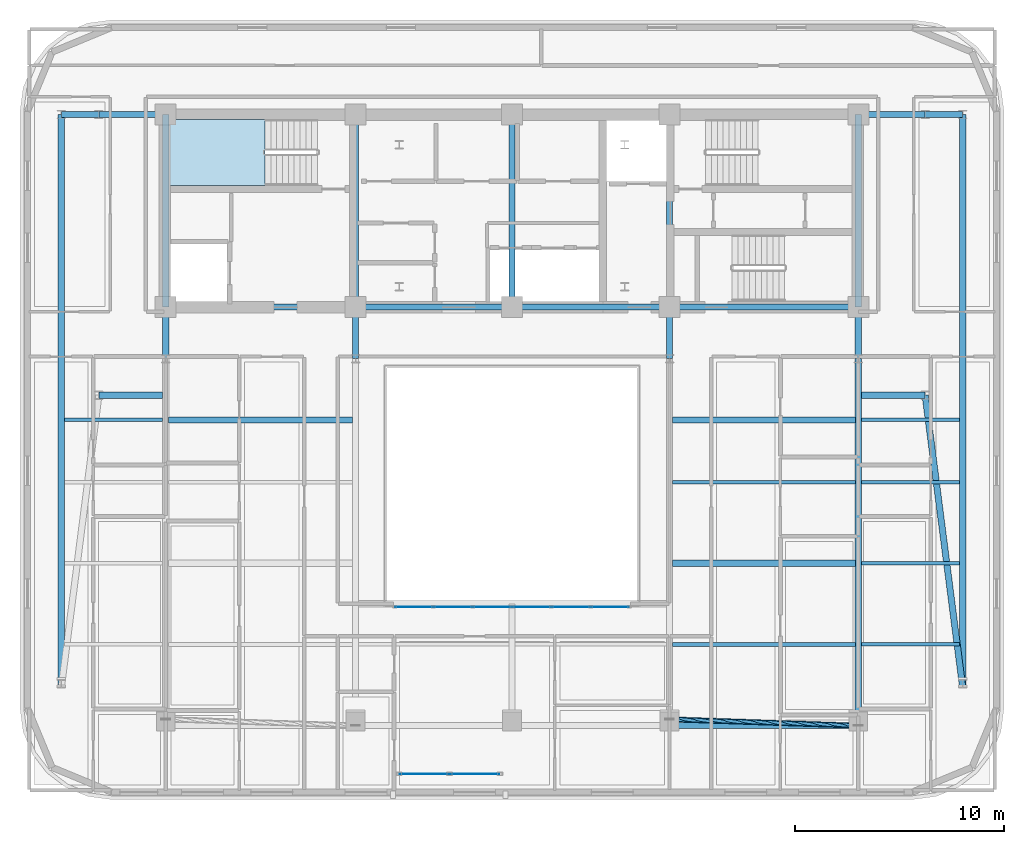
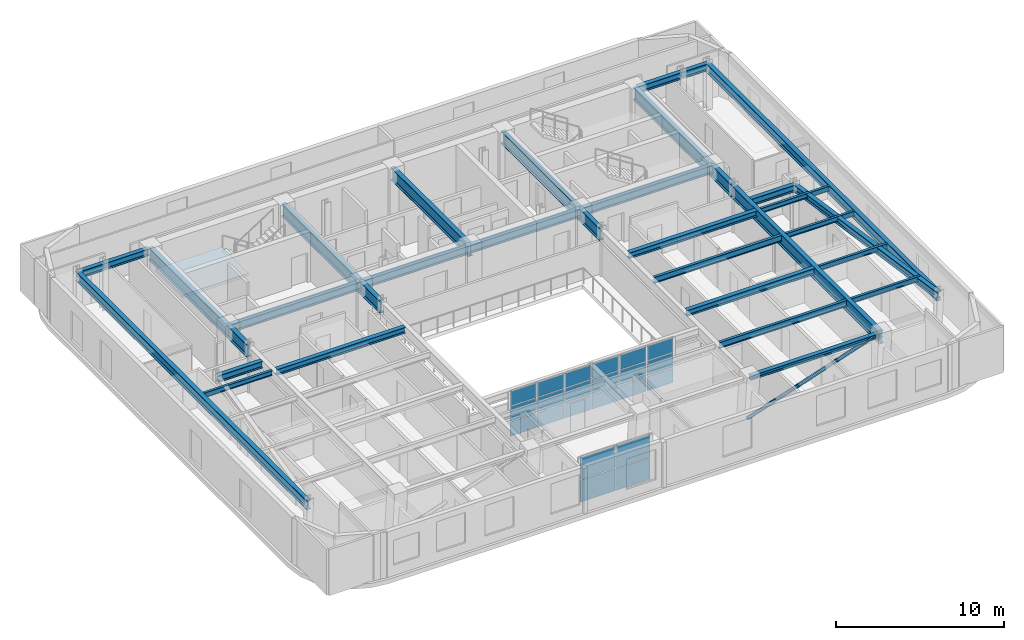
# One storey, part 3 of 15: 34 beams, 22 plates, 1 member, 1 slab, 3 elements without a shape of their own.
"""IFC4 building model written with IfcOpenShell, lengths in metres."""

from ifc_helpers import new_model, si_unit, direction, frame, origin, origin_2d, place, context, subcontext, project, spatial, polyline, rectangle, hollow_circle, i_section, outline, extrude, material, layer, layer_set, material_profile, profile_set, type_object, element, aggregate, save


model = new_model("IFC4")

# Units and contexts
model_context = context("Model", 3, precision=1e-05, world=origin(), true_north=direction((0.0, 1.0)))
body_context = subcontext(model_context, "Body", "Model", "MODEL_VIEW")
ifc_project = project(units=[si_unit("LENGTHUNIT", "METRE"), si_unit("AREAUNIT", "SQUARE_METRE"), si_unit("VOLUMEUNIT", "CUBIC_METRE"), si_unit("PLANEANGLEUNIT", "RADIAN"), si_unit("MASSUNIT", "GRAM", prefix="KILO")], contexts=[model_context])

# Site, building, storey
site_placement = place(None, origin())
site = spatial("IfcSite", under=ifc_project, at=site_placement, CompositionType="ELEMENT")
building_placement = place(site_placement, origin())
building = spatial("IfcBuilding", under=site, at=building_placement, Name="Zarnavel Station Tower", CompositionType="ELEMENT")
storey_placement = place(building_placement, frame((0.0, 0.0, 200.39990234375)))
storey = spatial("IfcBuildingStorey", under=building, at=storey_placement, Name="L54", CompositionType="ELEMENT", Elevation=200.39990234375)

# Member
ifc_material_1 = material(Name="Steel S355J2", Category="steel")
ifc_material_profile_1 = material_profile(ifc_material_1, hollow_circle(Radius=0.122314453125, WallThickness=0.010009765625, at=origin_2d()), Name="CHS244.5x10")
ifc_profile_set_1 = profile_set([ifc_material_profile_1], Name="Steel S355J2")
member_type = type_object("IfcMemberType", Name="DB_EXT_CHS245", PredefinedType="BRACE", material=ifc_profile_set_1)
member_placement = place(storey_placement, frame((36.35009765625, 8.067626953125, 0.0), z_axis=(0.937682003391, -0.031342074086, 0.346078220794), x_axis=(0.033406400472, 0.999441850438, 0.0)))
element("IfcMember", 1, at=member_placement, inside=storey, type_object=member_type, Name="L54 Persian Exterior Diagonal Frame Brace 2", PredefinedType="BRACE", context=body_context, shape_type="SweptSolid", body=[
    extrude(hollow_circle(Radius=0.122314453125, WallThickness=0.010009765625, at=origin_2d()), origin(), (0.0, 0.0, 1.0), 9.6513671875),
])

# Beams
ifc_material_2 = material(Name="Steel S355J2", Category="steel")
ifc_material_profile_2 = material_profile(ifc_material_2, i_section(OverallWidth=0.300048828125, OverallDepth=0.320068359375, WebThickness=0.011474609375, FlangeThickness=0.0205078125, FilletRadius=0.027099609375, at=origin_2d()), Name="HEB320")
ifc_profile_set_2 = profile_set([ifc_material_profile_2], Name="Steel S355J2")
beam_type_1 = type_object("IfcBeamType", Name="EB_HEB320", PredefinedType="SPANDREL", material=ifc_profile_set_2)
beam_1_placement = place(storey_placement, frame((36.35009765625, 7.76513671875, 3.18017578125), z_axis=(1.0, 0.0, 0.0), x_axis=(0.0, 1.0, 0.0)))
element("IfcBeam", 2, at=beam_1_placement, inside=storey, type_object=beam_type_1, Name="L54 South Raked Spandrel 4", PredefinedType="SPANDREL", context=body_context, shape_type="SweptSolid", body=[
    extrude(i_section(OverallWidth=0.300048828125, OverallDepth=0.320068359375, WebThickness=0.011474609375, FlangeThickness=0.0205078125, FilletRadius=0.027099609375, at=origin_2d()), origin(), (0.0, 0.0, 1.0), 9.0498046875),
])
ifc_material_3 = material(Name="Steel S355J2", Category="steel")
ifc_material_profile_3 = material_profile(ifc_material_3, i_section(OverallWidth=0.300048828125, OverallDepth=0.43994140625, WebThickness=0.011474609375, FlangeThickness=0.02099609375, FilletRadius=0.027099609375, at=origin_2d()), Name="HEA450")
ifc_profile_set_3 = profile_set([ifc_material_profile_3], Name="Steel S355J2")
beam_type_2 = type_object("IfcBeamType", Name="FB_HEA450", PredefinedType="BEAM", material=ifc_profile_set_3)
beam_2_placement = place(storey_placement, frame((36.4951171875, 15.5390625, 3.1201171875), z_axis=(1.0, 0.0, 0.0), x_axis=(0.0, 1.0, 0.0)))
element("IfcBeam", 3, at=beam_2_placement, inside=storey, type_object=beam_type_2, Name="L54 East Bay Beam 2", PredefinedType="BEAM", context=body_context, shape_type="SweptSolid", body=[
    extrude(i_section(OverallWidth=0.300048828125, OverallDepth=0.43994140625, WebThickness=0.011474609375, FlangeThickness=0.02099609375, FilletRadius=0.027099609375, at=origin_2d()), origin(), (0.0, 0.0, 1.0), 8.759765625),
])
beam_3_placement = place(storey_placement, frame((12.344970703125, 22.4130859375, 3.1201171875), z_axis=(1.0, 0.0, 0.0), x_axis=(0.0, 1.0, 0.0)))
element("IfcBeam", 4, at=beam_3_placement, inside=storey, type_object=beam_type_2, Name="L54 West Bay Beam 4", PredefinedType="BEAM", context=body_context, shape_type="SweptSolid", body=[
    extrude(i_section(OverallWidth=0.300048828125, OverallDepth=0.43994140625, WebThickness=0.011474609375, FlangeThickness=0.02099609375, FilletRadius=0.027099609375, at=origin_2d()), origin(), (0.0, 0.0, 1.0), 8.81005859375),
])
beam_4_placement = place(storey_placement, frame((36.4951171875, 22.4130859375, 3.1201171875), z_axis=(1.0, 0.0, 0.0), x_axis=(0.0, 1.0, 0.0)))
element("IfcBeam", 5, at=beam_4_placement, inside=storey, type_object=beam_type_2, Name="L54 East Bay Beam 4", PredefinedType="BEAM", context=body_context, shape_type="SweptSolid", body=[
    extrude(i_section(OverallWidth=0.300048828125, OverallDepth=0.43994140625, WebThickness=0.011474609375, FlangeThickness=0.02099609375, FilletRadius=0.027099609375, at=origin_2d()), origin(), (0.0, 0.0, 1.0), 8.759765625),
])
ifc_material_4 = material(Name="Steel S355J2", Category="steel")
ifc_material_profile_4 = material_profile(ifc_material_4, i_section(OverallWidth=0.18994140625, OverallDepth=0.449951171875, WebThickness=0.009521484375, FlangeThickness=0.0146484375, FilletRadius=0.02099609375, at=origin_2d()), Name="IPE450")
ifc_profile_set_4 = profile_set([ifc_material_profile_4], Name="Steel S355J2")
beam_type_3 = type_object("IfcBeamType", Name="FB_IPE450", PredefinedType="BEAM", material=ifc_profile_set_4)
for number, where, z_axis, x_axis, name in (
    (6, (36.4951171875, 11.652099609375, 3.114990234375), (1.0, 0.0, 0.0), (0.0, 1.0, 0.0), "L54 East Bay Beam 1"),
    (7, (36.4951171875, 19.426025390625, 3.114990234375), (1.0, 0.0, 0.0), (0.0, 1.0, 0.0), "L54 East Bay Beam 3"),
):
    element("IfcBeam", number, at=place(storey_placement, frame(where, z_axis=z_axis, x_axis=x_axis)), inside=storey, type_object=beam_type_3, Name=name, PredefinedType="BEAM", context=body_context, shape_type="SweptSolid", body=[
        extrude(i_section(OverallWidth=0.18994140625, OverallDepth=0.449951171875, WebThickness=0.009521484375, FlangeThickness=0.0146484375, FilletRadius=0.02099609375, at=origin_2d()), origin(), (0.0, 0.0, 1.0), 8.759765625),
    ])
ifc_material_5 = material(Name="Steel S355J2", Category="steel")
ifc_material_profile_5 = material_profile(ifc_material_5, i_section(OverallWidth=0.300048828125, OverallDepth=0.5, WebThickness=0.014404296875, FlangeThickness=0.028076171875, FilletRadius=0.027099609375, at=origin_2d()), Name="HEB500")
ifc_profile_set_5 = profile_set([ifc_material_profile_5], Name="Steel S355J2")
beam_type_4 = type_object("IfcBeamType", Name="FG_HEB500", PredefinedType="USERDEFINED", material=ifc_profile_set_5)
beam_5_placement = place(storey_placement, frame((7.199951171875, 37.050048828125, 3.090087890625), z_axis=(1.0, 0.0, 0.0), x_axis=(0.0, 1.0, 0.0)))
element("IfcBeam", 8, at=beam_5_placement, inside=storey, type_object=beam_type_4, Name="L54 West Wing North Tie 1", ObjectType="GIRDER", PredefinedType="USERDEFINED", context=body_context, shape_type="SweptSolid", body=[
    extrude(i_section(OverallWidth=0.300048828125, OverallDepth=0.5, WebThickness=0.014404296875, FlangeThickness=0.028076171875, FilletRadius=0.027099609375, at=origin_2d()), origin(), (0.0, 0.0, 1.0), 1.800048828125),
])
for number, where, z_axis, x_axis, name in (
    (9, (9.0, 23.60009765625, 3.090087890625), (1.0, 0.0, 0.0), (0.0, 1.0, 0.0), "L54 West Wing South Tie 2"),
    (10, (9.0, 37.050048828125, 3.090087890625), (1.0, 0.0, 0.0), (0.0, 1.0, 0.0), "L54 West Wing North Tie 2"),
):
    element("IfcBeam", number, at=place(storey_placement, frame(where, z_axis=z_axis, x_axis=x_axis)), inside=storey, type_object=beam_type_4, Name=name, ObjectType="GIRDER", PredefinedType="USERDEFINED", context=body_context, shape_type="SweptSolid", body=[
        extrude(i_section(OverallWidth=0.300048828125, OverallDepth=0.5, WebThickness=0.014404296875, FlangeThickness=0.028076171875, FilletRadius=0.027099609375, at=origin_2d()), origin(), (0.0, 0.0, 1.0), 3.054931640625),
    ])
for number, where, z_axis, x_axis, name in (
    (11, (45.544921875, 23.60009765625, 3.090087890625), (1.0, 0.0, 0.0), (0.0, 1.0, 0.0), "L54 East Wing South Tie 1"),
    (12, (45.544921875, 37.050048828125, 3.090087890625), (1.0, 0.0, 0.0), (0.0, 1.0, 0.0), "L54 East Wing North Tie 1"),
):
    element("IfcBeam", number, at=place(storey_placement, frame(where, z_axis=z_axis, x_axis=x_axis)), inside=storey, type_object=beam_type_4, Name=name, ObjectType="GIRDER", PredefinedType="USERDEFINED", context=body_context, shape_type="SweptSolid", body=[
        extrude(i_section(OverallWidth=0.300048828125, OverallDepth=0.5, WebThickness=0.014404296875, FlangeThickness=0.028076171875, FilletRadius=0.027099609375, at=origin_2d()), origin(), (0.0, 0.0, 1.0), 3.05517578125),
    ])
beam_6_placement = place(storey_placement, frame((48.60009765625, 23.60009765625, 3.090087890625), z_axis=(0.127460025423, -0.991843708413, 0.0), x_axis=(0.991843708413, 0.127460025423, 0.0)))
element("IfcBeam", 13, at=beam_6_placement, inside=storey, type_object=beam_type_4, Name="L54 East Wing South Tie 2", ObjectType="GIRDER", PredefinedType="USERDEFINED", context=body_context, shape_type="SweptSolid", body=[
    extrude(i_section(OverallWidth=0.300048828125, OverallDepth=0.5, WebThickness=0.014404296875, FlangeThickness=0.028076171875, FilletRadius=0.027099609375, at=origin_2d()), origin(), (0.0, 0.0, 1.0), 14.12060546875),
])
beam_7_placement = place(storey_placement, frame((48.60009765625, 37.050048828125, 3.090087890625), z_axis=(1.0, 0.0, 0.0), x_axis=(0.0, 1.0, 0.0)))
element("IfcBeam", 14, at=beam_7_placement, inside=storey, type_object=beam_type_4, Name="L54 East Wing North Tie 2", ObjectType="GIRDER", PredefinedType="USERDEFINED", context=body_context, shape_type="SweptSolid", body=[
    extrude(i_section(OverallWidth=0.300048828125, OverallDepth=0.5, WebThickness=0.014404296875, FlangeThickness=0.028076171875, FilletRadius=0.027099609375, at=origin_2d()), origin(), (0.0, 0.0, 1.0), 1.7998046875),
])
ifc_material_6 = material(Name="Steel S355J2", Category="steel")
ifc_material_profile_6 = material_profile(ifc_material_6, i_section(OverallWidth=0.300048828125, OverallDepth=0.60009765625, WebThickness=0.015380859375, FlangeThickness=0.030029296875, FilletRadius=0.027099609375, at=origin_2d()), Name="HEB600")
ifc_profile_set_6 = profile_set([ifc_material_profile_6], Name="Steel S355J2")
beam_type_5 = type_object("IfcBeamType", Name="FG_HEB600", PredefinedType="USERDEFINED", material=ifc_profile_set_6)
beam_8_placement = place(storey_placement, frame((12.199951171875, 27.820068359375, 3.0400390625), z_axis=(1.0, 0.0, 0.0), x_axis=(0.0, 1.0, 0.0)))
element("IfcBeam", 15, at=beam_8_placement, inside=storey, type_object=beam_type_5, Name="L54 Core Front Coupling Beam 1", ObjectType="GIRDER", PredefinedType="USERDEFINED", context=body_context, shape_type="SweptSolid", body=[
    extrude(i_section(OverallWidth=0.300048828125, OverallDepth=0.60009765625, WebThickness=0.015380859375, FlangeThickness=0.030029296875, FilletRadius=0.027099609375, at=origin_2d()), origin(), (0.0, 0.0, 1.0), 9.10009765625),
])
beam_9_placement = place(storey_placement, frame((21.300048828125, 27.820068359375, 3.0400390625), z_axis=(1.0, 0.0, 0.0), x_axis=(0.0, 1.0, 0.0)))
element("IfcBeam", 16, at=beam_9_placement, inside=storey, type_object=beam_type_5, Name="L54 Core Front Coupling Beam 2", ObjectType="GIRDER", PredefinedType="USERDEFINED", context=body_context, shape_type="SweptSolid", body=[
    extrude(i_section(OverallWidth=0.300048828125, OverallDepth=0.60009765625, WebThickness=0.015380859375, FlangeThickness=0.030029296875, FilletRadius=0.027099609375, at=origin_2d()), origin(), (0.0, 0.0, 1.0), 7.5),
])
beam_10_placement = place(storey_placement, frame((28.800048828125, 27.820068359375, 3.0400390625), z_axis=(1.0, 0.0, 0.0), x_axis=(0.0, 1.0, 0.0)))
element("IfcBeam", 17, at=beam_10_placement, inside=storey, type_object=beam_type_5, Name="L54 Core Front Coupling Beam 3", ObjectType="GIRDER", PredefinedType="USERDEFINED", context=body_context, shape_type="SweptSolid", body=[
    extrude(i_section(OverallWidth=0.300048828125, OverallDepth=0.60009765625, WebThickness=0.015380859375, FlangeThickness=0.030029296875, FilletRadius=0.027099609375, at=origin_2d()), origin(), (0.0, 0.0, 1.0), 7.550048828125),
])
beam_11_placement = place(storey_placement, frame((36.35009765625, 27.820068359375, 3.0400390625), z_axis=(1.0, 0.0, 0.0), x_axis=(0.0, 1.0, 0.0)))
element("IfcBeam", 18, at=beam_11_placement, inside=storey, type_object=beam_type_5, Name="L54 Core Front Coupling Beam 4", ObjectType="GIRDER", PredefinedType="USERDEFINED", context=body_context, shape_type="SweptSolid", body=[
    extrude(i_section(OverallWidth=0.300048828125, OverallDepth=0.60009765625, WebThickness=0.015380859375, FlangeThickness=0.030029296875, FilletRadius=0.027099609375, at=origin_2d()), origin(), (0.0, 0.0, 1.0), 9.0498046875),
])
ifc_material_7 = material(Name="Steel S355J2", Category="steel")
ifc_material_profile_7 = material_profile(ifc_material_7, i_section(OverallWidth=0.300048828125, OverallDepth=0.64990234375, WebThickness=0.01611328125, FlangeThickness=0.031005859375, FilletRadius=0.027099609375, at=origin_2d()), Name="HEB650")
ifc_profile_set_7 = profile_set([ifc_material_profile_7], Name="Steel S355J2")
beam_type_6 = type_object("IfcBeamType", Name="FG_HEB650", PredefinedType="USERDEFINED", material=ifc_profile_set_7)
for number, where, z_axis, x_axis, name in (
    (19, (7.199951171875, 9.5947265625, 3.01513671875), (0.0, 1.0, 0.0), (-1.0, 0.0, 0.0), "L54 Wing NS Girder 1"),
    (20, (50.39990234375, 9.5947265625, 3.01513671875), (0.0, 1.0, 0.0), (-1.0, 0.0, 0.0), "L54 Wing NS Girder 2"),
):
    element("IfcBeam", number, at=place(storey_placement, frame(where, z_axis=z_axis, x_axis=x_axis)), inside=storey, type_object=beam_type_6, Name=name, ObjectType="GIRDER", PredefinedType="USERDEFINED", context=body_context, shape_type="SweptSolid", body=[
        extrude(i_section(OverallWidth=0.300048828125, OverallDepth=0.64990234375, WebThickness=0.01611328125, FlangeThickness=0.031005859375, FilletRadius=0.027099609375, at=origin_2d()), origin(), (0.0, 0.0, 1.0), 27.455322265625),
    ])
ifc_material_8 = material(Name="Steel S355J2", Category="steel")
ifc_material_profile_8 = material_profile(ifc_material_8, i_section(OverallWidth=0.300048828125, OverallDepth=0.89990234375, WebThickness=0.0185546875, FlangeThickness=0.034912109375, FilletRadius=0.030029296875, at=origin_2d()), Name="HEB900")
ifc_profile_set_8 = profile_set([ifc_material_profile_8], Name="Steel S355J2")
beam_type_7 = type_object("IfcBeamType", Name="FG_HEB900", PredefinedType="USERDEFINED", material=ifc_profile_set_8)
for number, where, z_axis, x_axis, name in (
    (21, (12.199951171875, 25.35009765625, 2.89013671875), (0.0, 1.0, 0.0), (-1.0, 0.0, 0.0), "L54 Inner-Zone NS Girder 1"),
    (22, (21.300048828125, 25.35009765625, 2.89013671875), (0.0, 1.0, 0.0), (-1.0, 0.0, 0.0), "L54 Inner-Zone NS Girder 2"),
    (23, (36.35009765625, 25.35009765625, 2.89013671875), (0.0, 1.0, 0.0), (-1.0, 0.0, 0.0), "L54 Inner-Zone NS Girder 4"),
):
    element("IfcBeam", number, at=place(storey_placement, frame(where, z_axis=z_axis, x_axis=x_axis)), inside=storey, type_object=beam_type_7, Name=name, ObjectType="GIRDER", PredefinedType="USERDEFINED", context=body_context, shape_type="SweptSolid", body=[
        extrude(i_section(OverallWidth=0.300048828125, OverallDepth=0.89990234375, WebThickness=0.0185546875, FlangeThickness=0.034912109375, FilletRadius=0.030029296875, at=origin_2d()), origin(), (0.0, 0.0, 1.0), 2.469970703125),
    ])
beam_12_placement = place(storey_placement, frame((45.39990234375, 7.76513671875, 2.89013671875), z_axis=(0.0, 1.0, 0.0), x_axis=(-1.0, 0.0, 0.0)))
element("IfcBeam", 24, at=beam_12_placement, inside=storey, type_object=beam_type_7, Name="L54 South-Zone NS Girder 5", ObjectType="GIRDER", PredefinedType="USERDEFINED", context=body_context, shape_type="SweptSolid", body=[
    extrude(i_section(OverallWidth=0.300048828125, OverallDepth=0.89990234375, WebThickness=0.0185546875, FlangeThickness=0.034912109375, FilletRadius=0.030029296875, at=origin_2d()), origin(), (0.0, 0.0, 1.0), 17.5849609375),
])
beam_13_placement = place(storey_placement, frame((45.39990234375, 25.35009765625, 2.89013671875), z_axis=(0.0, 1.0, 0.0), x_axis=(-1.0, 0.0, 0.0)))
element("IfcBeam", 25, at=beam_13_placement, inside=storey, type_object=beam_type_7, Name="L54 Inner-Zone NS Girder 5", ObjectType="GIRDER", PredefinedType="USERDEFINED", context=body_context, shape_type="SweptSolid", body=[
    extrude(i_section(OverallWidth=0.300048828125, OverallDepth=0.89990234375, WebThickness=0.0185546875, FlangeThickness=0.034912109375, FilletRadius=0.030029296875, at=origin_2d()), origin(), (0.0, 0.0, 1.0), 2.469970703125),
])
ifc_material_9 = material(Name="Steel S355J2", Category="steel")
ifc_material_profile_9 = material_profile(ifc_material_9, i_section(OverallWidth=0.169921875, OverallDepth=0.360107421875, WebThickness=0.008056640625, FlangeThickness=0.0126953125, FilletRadius=0.01806640625, at=origin_2d()), Name="IPE360")
ifc_profile_set_9 = profile_set([ifc_material_profile_9], Name="Steel S355J2")
beam_type_8 = type_object("IfcBeamType", Name="FJ_IPE360", PredefinedType="JOIST", material=ifc_profile_set_9)
for number, where, z_axis, x_axis, name in (
    (26, (45.544921875, 11.652099609375, 3.16015625), (1.0, 0.0, 0.0), (0.0, 1.0, 0.0), "L54 East Wing Joist 1"),
    (27, (45.544921875, 15.5390625, 3.16015625), (1.0, 0.0, 0.0), (0.0, 1.0, 0.0), "L54 East Wing Joist 2"),
    (28, (45.544921875, 19.426025390625, 3.16015625), (1.0, 0.0, 0.0), (0.0, 1.0, 0.0), "L54 East Wing Joist 3"),
    (29, (7.344970703125, 22.4130859375, 3.16015625), (1.0, 0.0, 0.0), (0.0, 1.0, 0.0), "L54 West Wing Joist 4"),
    (30, (45.544921875, 22.4130859375, 3.16015625), (1.0, 0.0, 0.0), (0.0, 1.0, 0.0), "L54 East Wing Joist 4"),
):
    element("IfcBeam", number, at=place(storey_placement, frame(where, z_axis=z_axis, x_axis=x_axis)), inside=storey, type_object=beam_type_8, Name=name, PredefinedType="JOIST", context=body_context, shape_type="SweptSolid", body=[
        extrude(i_section(OverallWidth=0.169921875, OverallDepth=0.360107421875, WebThickness=0.008056640625, FlangeThickness=0.0126953125, FilletRadius=0.01806640625, at=origin_2d()), origin(), (0.0, 0.0, 1.0), 4.7099609375),
    ])
ifc_material_10 = material(Name="Steel S460M", Category="steel")
ifc_material_profile_10 = material_profile(ifc_material_10, i_section(OverallWidth=0.302001953125, OverallDepth=0.909912109375, WebThickness=0.02099609375, FlangeThickness=0.0400390625, FilletRadius=0.030029296875, at=origin_2d()), Name="HEM900")
ifc_profile_set_10 = profile_set([ifc_material_profile_10], Name="Steel S460M")
beam_type_9 = type_object("IfcBeamType", Name="TG_HEM900", PredefinedType="USERDEFINED", material=ifc_profile_set_10)
for number, where, z_axis, x_axis, name in (
    (31, (12.199951171875, 27.820068359375, 2.885009765625), (0.0, 1.0, 0.0), (-1.0, 0.0, 0.0), "L54 Core Spine Coupling Girder 1"),
    (32, (21.300048828125, 27.820068359375, 2.885009765625), (0.0, 1.0, 0.0), (-1.0, 0.0, 0.0), "L54 Core Spine Coupling Girder 2"),
    (33, (28.800048828125, 27.820068359375, 2.885009765625), (0.0, 1.0, 0.0), (-1.0, 0.0, 0.0), "L54 Core Spine Coupling Girder 3"),
    (34, (36.35009765625, 27.820068359375, 2.885009765625), (0.0, 1.0, 0.0), (-1.0, 0.0, 0.0), "L54 Core Spine Coupling Girder 4"),
    (35, (45.39990234375, 27.820068359375, 2.885009765625), (0.0, 1.0, 0.0), (-1.0, 0.0, 0.0), "L54 Core Spine Coupling Girder 5"),
):
    element("IfcBeam", number, at=place(storey_placement, frame(where, z_axis=z_axis, x_axis=x_axis)), inside=storey, type_object=beam_type_9, Name=name, ObjectType="GIRDER", PredefinedType="USERDEFINED", context=body_context, shape_type="SweptSolid", body=[
        extrude(i_section(OverallWidth=0.302001953125, OverallDepth=0.909912109375, WebThickness=0.02099609375, FlangeThickness=0.0400390625, FilletRadius=0.030029296875, at=origin_2d()), origin(), (0.0, 0.0, 1.0), 9.22998046875),
    ])

# Curtain wall, plates
ifc_material_11 = material(Name="Aluminium Dark Anodised and Solar-Control Glass", Category="aluminium")
ifc_layer_1 = layer(ifc_material_11, 0.179931640625)
ifc_layer_set_1 = layer_set([ifc_layer_1], Name="CWS5")
curtain_wall_type_1 = type_object("IfcCurtainWallType", Name="CWS5", PredefinedType="NOTDEFINED", material=ifc_layer_set_1)
curtain_wall_1_placement = place(storey_placement, origin())
curtain_wall_1 = element("IfcCurtainWall", 36, at=curtain_wall_1_placement, inside=storey, type_object=curtain_wall_type_1, Name="L54 Curtain Wall CWS5-L54-AS", PredefinedType="NOTDEFINED")
ifc_material_12 = material(Name="Double Low-E Dark Solar-Control Glass", Category="glass")
ifc_layer_2 = layer(ifc_material_12, 0.033935546875)
ifc_layer_set_2 = layer_set([ifc_layer_2], Name="CWS5_PNL")
plate_type_1 = type_object("IfcPlateType", Name="CWS5_PNL", PredefinedType="CURTAIN_PANEL", material=ifc_layer_set_2)
plate_1_placement = place(storey_placement, frame((24.106689453125, 13.449951171875, 0.06005859375), z_axis=(0.0, 0.0, 1.0), x_axis=(1.0, 0.0, 0.0)))
plate_1 = element("IfcPlate", 37, at=plate_1_placement, type_object=plate_type_1, Name="CW5 panel 1.1", PredefinedType="CURTAIN_PANEL", context=body_context, shape_type="SweptSolid", body=[
    extrude(rectangle(XDim=1.793212890625, YDim=0.028076171875, at=origin_2d()), origin(), (0.0, 0.0, 1.0), 1.023193359375),
])
plate_2_placement = place(storey_placement, frame((24.106689453125, 13.449951171875, 1.1435546875), z_axis=(0.0, 0.0, 1.0), x_axis=(1.0, 0.0, 0.0)))
plate_2 = element("IfcPlate", 38, at=plate_2_placement, type_object=plate_type_1, Name="CW5 panel 1.2", PredefinedType="CURTAIN_PANEL", context=body_context, shape_type="SweptSolid", body=[
    extrude(rectangle(XDim=1.793212890625, YDim=0.028076171875, at=origin_2d()), origin(), (0.0, 0.0, 1.0), 1.053466796875),
])
plate_3_placement = place(storey_placement, frame((24.106689453125, 13.449951171875, 2.2568359375), z_axis=(0.0, 0.0, 1.0), x_axis=(1.0, 0.0, 0.0)))
plate_3 = element("IfcPlate", 39, at=plate_3_placement, type_object=plate_type_1, Name="CW5 panel 1.3", PredefinedType="CURTAIN_PANEL", context=body_context, shape_type="SweptSolid", body=[
    extrude(rectangle(XDim=1.793212890625, YDim=0.028076171875, at=origin_2d()), origin(), (0.0, 0.0, 1.0), 1.023193359375),
])
plate_4_placement = place(storey_placement, frame((25.97509765625, 13.449951171875, 0.06005859375), z_axis=(0.0, 0.0, 1.0), x_axis=(1.0, 0.0, 0.0)))
plate_4 = element("IfcPlate", 40, at=plate_4_placement, type_object=plate_type_1, Name="CW5 panel 2.1", PredefinedType="CURTAIN_PANEL", context=body_context, shape_type="SweptSolid", body=[
    extrude(rectangle(XDim=1.8232421875, YDim=0.028076171875, at=origin_2d()), origin(), (0.0, 0.0, 1.0), 1.023193359375),
])
plate_5_placement = place(storey_placement, frame((25.97509765625, 13.449951171875, 1.1435546875), z_axis=(0.0, 0.0, 1.0), x_axis=(1.0, 0.0, 0.0)))
plate_5 = element("IfcPlate", 41, at=plate_5_placement, type_object=plate_type_1, Name="CW5 panel 2.2", PredefinedType="CURTAIN_PANEL", context=body_context, shape_type="SweptSolid", body=[
    extrude(rectangle(XDim=1.8232421875, YDim=0.028076171875, at=origin_2d()), origin(), (0.0, 0.0, 1.0), 1.053466796875),
])
plate_6_placement = place(storey_placement, frame((25.97509765625, 13.449951171875, 2.2568359375), z_axis=(0.0, 0.0, 1.0), x_axis=(1.0, 0.0, 0.0)))
plate_6 = element("IfcPlate", 42, at=plate_6_placement, type_object=plate_type_1, Name="CW5 panel 2.3", PredefinedType="CURTAIN_PANEL", context=body_context, shape_type="SweptSolid", body=[
    extrude(rectangle(XDim=1.8232421875, YDim=0.028076171875, at=origin_2d()), origin(), (0.0, 0.0, 1.0), 1.023193359375),
])
plate_7_placement = place(storey_placement, frame((27.8583984375, 13.449951171875, 0.06005859375), z_axis=(0.0, 0.0, 1.0), x_axis=(1.0, 0.0, 0.0)))
plate_7 = element("IfcPlate", 43, at=plate_7_placement, type_object=plate_type_1, Name="CW5 panel 3.1", PredefinedType="CURTAIN_PANEL", context=body_context, shape_type="SweptSolid", body=[
    extrude(rectangle(XDim=1.8232421875, YDim=0.028076171875, at=origin_2d()), origin(), (0.0, 0.0, 1.0), 1.023193359375),
])
plate_8_placement = place(storey_placement, frame((27.8583984375, 13.449951171875, 1.1435546875), z_axis=(0.0, 0.0, 1.0), x_axis=(1.0, 0.0, 0.0)))
plate_8 = element("IfcPlate", 44, at=plate_8_placement, type_object=plate_type_1, Name="CW5 panel 3.2", PredefinedType="CURTAIN_PANEL", context=body_context, shape_type="SweptSolid", body=[
    extrude(rectangle(XDim=1.8232421875, YDim=0.028076171875, at=origin_2d()), origin(), (0.0, 0.0, 1.0), 1.053466796875),
])
plate_9_placement = place(storey_placement, frame((27.8583984375, 13.449951171875, 2.2568359375), z_axis=(0.0, 0.0, 1.0), x_axis=(1.0, 0.0, 0.0)))
plate_9 = element("IfcPlate", 45, at=plate_9_placement, type_object=plate_type_1, Name="CW5 panel 3.3", PredefinedType="CURTAIN_PANEL", context=body_context, shape_type="SweptSolid", body=[
    extrude(rectangle(XDim=1.8232421875, YDim=0.028076171875, at=origin_2d()), origin(), (0.0, 0.0, 1.0), 1.023193359375),
])
plate_10_placement = place(storey_placement, frame((29.74169921875, 13.449951171875, 0.06005859375), z_axis=(0.0, 0.0, 1.0), x_axis=(1.0, 0.0, 0.0)))
plate_10 = element("IfcPlate", 46, at=plate_10_placement, type_object=plate_type_1, Name="CW5 panel 4.1", PredefinedType="CURTAIN_PANEL", context=body_context, shape_type="SweptSolid", body=[
    extrude(rectangle(XDim=1.8232421875, YDim=0.028076171875, at=origin_2d()), origin(), (0.0, 0.0, 1.0), 1.023193359375),
])
plate_11_placement = place(storey_placement, frame((29.74169921875, 13.449951171875, 1.1435546875), z_axis=(0.0, 0.0, 1.0), x_axis=(1.0, 0.0, 0.0)))
plate_11 = element("IfcPlate", 47, at=plate_11_placement, type_object=plate_type_1, Name="CW5 panel 4.2", PredefinedType="CURTAIN_PANEL", context=body_context, shape_type="SweptSolid", body=[
    extrude(rectangle(XDim=1.8232421875, YDim=0.028076171875, at=origin_2d()), origin(), (0.0, 0.0, 1.0), 1.053466796875),
])
plate_12_placement = place(storey_placement, frame((29.74169921875, 13.449951171875, 2.2568359375), z_axis=(0.0, 0.0, 1.0), x_axis=(1.0, 0.0, 0.0)))
plate_12 = element("IfcPlate", 48, at=plate_12_placement, type_object=plate_type_1, Name="CW5 panel 4.3", PredefinedType="CURTAIN_PANEL", context=body_context, shape_type="SweptSolid", body=[
    extrude(rectangle(XDim=1.8232421875, YDim=0.028076171875, at=origin_2d()), origin(), (0.0, 0.0, 1.0), 1.023193359375),
])
plate_13_placement = place(storey_placement, frame((31.625, 13.449951171875, 0.06005859375), z_axis=(0.0, 0.0, 1.0), x_axis=(1.0, 0.0, 0.0)))
plate_13 = element("IfcPlate", 49, at=plate_13_placement, type_object=plate_type_1, Name="CW5 panel 5.1", PredefinedType="CURTAIN_PANEL", context=body_context, shape_type="SweptSolid", body=[
    extrude(rectangle(XDim=1.8232421875, YDim=0.028076171875, at=origin_2d()), origin(), (0.0, 0.0, 1.0), 1.023193359375),
])
plate_14_placement = place(storey_placement, frame((31.625, 13.449951171875, 1.1435546875), z_axis=(0.0, 0.0, 1.0), x_axis=(1.0, 0.0, 0.0)))
plate_14 = element("IfcPlate", 50, at=plate_14_placement, type_object=plate_type_1, Name="CW5 panel 5.2", PredefinedType="CURTAIN_PANEL", context=body_context, shape_type="SweptSolid", body=[
    extrude(rectangle(XDim=1.8232421875, YDim=0.028076171875, at=origin_2d()), origin(), (0.0, 0.0, 1.0), 1.053466796875),
])
plate_15_placement = place(storey_placement, frame((31.625, 13.449951171875, 2.2568359375), z_axis=(0.0, 0.0, 1.0), x_axis=(1.0, 0.0, 0.0)))
plate_15 = element("IfcPlate", 51, at=plate_15_placement, type_object=plate_type_1, Name="CW5 panel 5.3", PredefinedType="CURTAIN_PANEL", context=body_context, shape_type="SweptSolid", body=[
    extrude(rectangle(XDim=1.8232421875, YDim=0.028076171875, at=origin_2d()), origin(), (0.0, 0.0, 1.0), 1.023193359375),
])
plate_16_placement = place(storey_placement, frame((33.493408203125, 13.449951171875, 0.06005859375), z_axis=(0.0, 0.0, 1.0), x_axis=(1.0, 0.0, 0.0)))
plate_16 = element("IfcPlate", 52, at=plate_16_placement, type_object=plate_type_1, Name="CW5 panel 6.1", PredefinedType="CURTAIN_PANEL", context=body_context, shape_type="SweptSolid", body=[
    extrude(rectangle(XDim=1.793212890625, YDim=0.028076171875, at=origin_2d()), origin(), (0.0, 0.0, 1.0), 1.023193359375),
])
plate_17_placement = place(storey_placement, frame((33.493408203125, 13.449951171875, 1.1435546875), z_axis=(0.0, 0.0, 1.0), x_axis=(1.0, 0.0, 0.0)))
plate_17 = element("IfcPlate", 53, at=plate_17_placement, type_object=plate_type_1, Name="CW5 panel 6.2", PredefinedType="CURTAIN_PANEL", context=body_context, shape_type="SweptSolid", body=[
    extrude(rectangle(XDim=1.793212890625, YDim=0.028076171875, at=origin_2d()), origin(), (0.0, 0.0, 1.0), 1.053466796875),
])
plate_18_placement = place(storey_placement, frame((33.493408203125, 13.449951171875, 2.2568359375), z_axis=(0.0, 0.0, 1.0), x_axis=(1.0, 0.0, 0.0)))
plate_18 = element("IfcPlate", 54, at=plate_18_placement, type_object=plate_type_1, Name="CW5 panel 6.3", PredefinedType="CURTAIN_PANEL", context=body_context, shape_type="SweptSolid", body=[
    extrude(rectangle(XDim=1.793212890625, YDim=0.028076171875, at=origin_2d()), origin(), (0.0, 0.0, 1.0), 1.023193359375),
])
aggregate(curtain_wall_1, [plate_1, plate_2, plate_3, plate_4, plate_5, plate_6, plate_7, plate_8, plate_9, plate_10, plate_11, plate_12, plate_13, plate_14, plate_15, plate_16, plate_17, plate_18])

ifc_material_13 = material(Name="Aluminium Dark Anodised and Solar-Control Glass", Category="aluminium")
ifc_layer_3 = layer(ifc_material_13, 0.179931640625)
ifc_layer_set_3 = layer_set([ifc_layer_3], Name="CWS6")
curtain_wall_type_2 = type_object("IfcCurtainWallType", Name="CWS6", PredefinedType="NOTDEFINED", material=ifc_layer_set_3)
curtain_wall_2_placement = place(storey_placement, origin())
curtain_wall_2 = element("IfcCurtainWall", 55, at=curtain_wall_2_placement, inside=storey, type_object=curtain_wall_type_2, Name="L54 Curtain Wall CWS6-LOG-L54", PredefinedType="NOTDEFINED")
ifc_material_14 = material(Name="Double Low-E Dark Solar-Control Glass", Category="glass")
ifc_layer_4 = layer(ifc_material_14, 0.0380859375)
ifc_layer_set_4 = layer_set([ifc_layer_4], Name="CWS6_PNL")
plate_type_2 = type_object("IfcPlateType", Name="CWS6_PNL", PredefinedType="CURTAIN_PANEL", material=ifc_layer_set_4)
plate_19_placement = place(storey_placement, frame((24.590087890625, 5.449951171875, 0.06005859375), z_axis=(0.0, 0.0, 1.0), x_axis=(1.0, 0.0, 0.0)))
plate_19 = element("IfcPlate", 56, at=plate_19_placement, type_object=plate_type_2, Name="CW6 panel 1.1", PredefinedType="CURTAIN_PANEL", context=body_context, shape_type="SweptSolid", body=[
    extrude(rectangle(XDim=2.360107421875, YDim=0.028076171875, at=origin_2d()), origin(), (0.0, 0.0, 1.0), 1.580078125),
])
plate_20_placement = place(storey_placement, frame((24.590087890625, 5.449951171875, 1.699951171875), z_axis=(0.0, 0.0, 1.0), x_axis=(1.0, 0.0, 0.0)))
plate_20 = element("IfcPlate", 57, at=plate_20_placement, type_object=plate_type_2, Name="CW6 panel 1.2", PredefinedType="CURTAIN_PANEL", context=body_context, shape_type="SweptSolid", body=[
    extrude(rectangle(XDim=2.360107421875, YDim=0.028076171875, at=origin_2d()), origin(), (0.0, 0.0, 1.0), 1.580078125),
])
plate_21_placement = place(storey_placement, frame((27.010009765625, 5.449951171875, 0.06005859375), z_axis=(0.0, 0.0, 1.0), x_axis=(1.0, 0.0, 0.0)))
plate_21 = element("IfcPlate", 58, at=plate_21_placement, type_object=plate_type_2, Name="CW6 panel 2.1", PredefinedType="CURTAIN_PANEL", context=body_context, shape_type="SweptSolid", body=[
    extrude(rectangle(XDim=2.360107421875, YDim=0.028076171875, at=origin_2d()), origin(), (0.0, 0.0, 1.0), 1.580078125),
])
plate_22_placement = place(storey_placement, frame((27.010009765625, 5.449951171875, 1.699951171875), z_axis=(0.0, 0.0, 1.0), x_axis=(1.0, 0.0, 0.0)))
plate_22 = element("IfcPlate", 59, at=plate_22_placement, type_object=plate_type_2, Name="CW6 panel 2.2", PredefinedType="CURTAIN_PANEL", context=body_context, shape_type="SweptSolid", body=[
    extrude(rectangle(XDim=2.360107421875, YDim=0.028076171875, at=origin_2d()), origin(), (0.0, 0.0, 1.0), 1.580078125),
])
aggregate(curtain_wall_2, [plate_19, plate_20, plate_21, plate_22])

# Stair, slab
ifc_material_15 = material(Name="Concrete C45/55", Category="concrete")
stair_type = type_object("IfcStairType", Name="ST_CORE_150", PredefinedType="HALF_TURN_STAIR", material=ifc_material_15)
stair_placement = place(storey_placement, origin())
stair = element("IfcStair", 60, at=stair_placement, inside=storey, type_object=stair_type, Name="L54 Core Exit Stair ST1", PredefinedType="HALF_TURN_STAIR")
ifc_material_16 = material(Name="Concrete C45/55", Category="concrete")
ifc_layer_5 = layer(ifc_material_16, 0.199951171875)
ifc_layer_set_5 = layer_set([ifc_layer_5], Name="SL_STAIR_LAND_200")
slab_type = type_object("IfcSlabType", Name="SL_STAIR_LAND_200", PredefinedType="LANDING", material=ifc_layer_set_5)
slab_placement = place(storey_placement, frame((0.0, 0.0, 1.60009765625)))
slab = element("IfcSlab", 61, at=slab_placement, type_object=slab_type, Name="ST1 landing 1", PredefinedType="LANDING", context=body_context, shape_type="SweptSolid", body=[
    extrude(outline(polyline([(16.9599609375, 36.820068359375), (12.39990234375, 36.820068359375), (12.39990234375, 33.659912109375), (16.9599609375, 33.659912109375), (16.9599609375, 36.820068359375)])), origin(), (0.0, 0.0, 1.0), 0.199951171875),
])
aggregate(stair, [slab])

save(model, "model.ifc")
